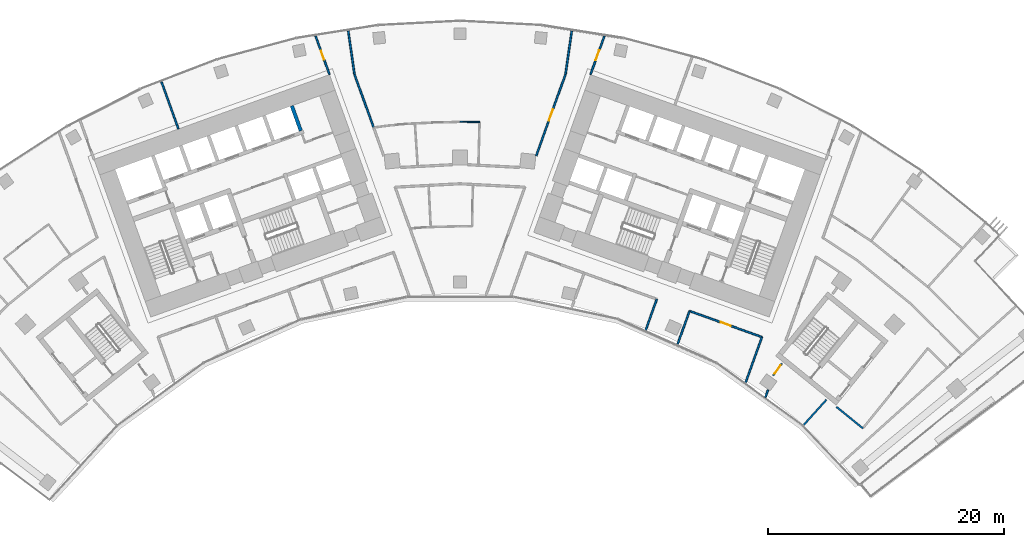
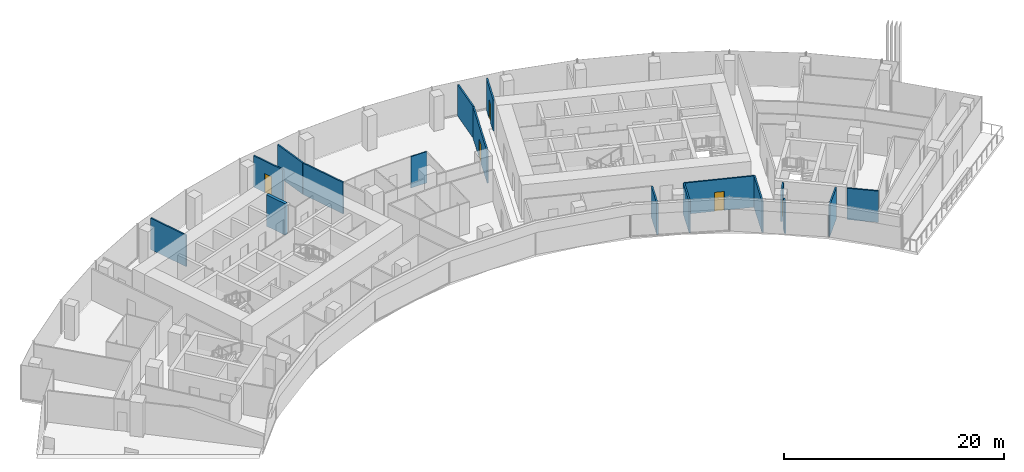
# One storey, part 16 of 21: 17 walls, 5 doors, 5 openings.
"""IFC4 building model written with IfcOpenShell, lengths in metres."""

from ifc_helpers import new_model, si_unit, direction, frame, frame_2d, origin, place, context, subcontext, project, spatial, rectangle, extrude, material, layer, layer_set, type_object, element, fill, save


model = new_model("IFC4")

# Units and contexts
model_context = context("Model", 3, precision=1e-05, world=origin(), true_north=direction((0.0, 1.0)))
body_context = subcontext(model_context, "Body", "Model", "MODEL_VIEW")
ifc_project = project(units=[si_unit("LENGTHUNIT", "METRE"), si_unit("AREAUNIT", "SQUARE_METRE"), si_unit("VOLUMEUNIT", "CUBIC_METRE"), si_unit("PLANEANGLEUNIT", "RADIAN"), si_unit("MASSUNIT", "GRAM", prefix="KILO")], contexts=[model_context])

# Site, building, storey
site_placement = place(None, origin())
site = spatial("IfcSite", under=ifc_project, at=site_placement, CompositionType="ELEMENT")
building_placement = place(site_placement, origin())
building = spatial("IfcBuilding", under=site, at=building_placement, Name="Stone Belt Terrace Tower", CompositionType="ELEMENT")
storey_placement = place(building_placement, frame((0.0, 0.0, 159.199951171875)))
storey = spatial("IfcBuildingStorey", under=building, at=storey_placement, Name="L38", CompositionType="ELEMENT", Elevation=159.199951171875)

# Walls
ifc_material_1 = material(Name="Concrete B80", Category="concrete")
ifc_layer_1 = layer(ifc_material_1, 0.300048828125)
ifc_layer_set_1 = layer_set([ifc_layer_1], Name="Lift shaft wall 300")
wall_type_1 = type_object("IfcWallType", Name="Lift shaft wall 300", PredefinedType="SHEAR", material=ifc_layer_set_1)
wall_1_placement = place(storey_placement, frame((-13.48828125, 57.265625, 0.0), z_axis=(0.0, 0.0, 1.0), x_axis=(-0.338631098537, 0.940919220286, 0.0)))
element("IfcWall", 1, at=wall_1_placement, inside=storey, type_object=wall_type_1, Name="Core A wall", PredefinedType="SHEAR", context=body_context, shape_type="SweptSolid", body=[
    extrude(rectangle(XDim=2.250244140625, YDim=0.300048828125, at=frame_2d((1.125, 0.0))), origin(), (0.0, 0.0, 1.0), 3.47998046875),
])
ifc_material_2 = material(Name="Gypsum board partition")
ifc_layer_2 = layer(ifc_material_2, 0.10009765625)
ifc_layer_set_2 = layer_set([ifc_layer_2], Name="PARTITION 100")
wall_type_2 = type_object("IfcWallType", Name="PARTITION 100", PredefinedType="PARTITIONING", material=ifc_layer_set_2)
wall_2_placement = place(storey_placement, frame((1.659912109375, 58.0009765625, 0.0), z_axis=(0.0, 0.0, 1.0), x_axis=(-0.999896136152, 0.014412387313, 0.0)))
element("IfcWall", 2, at=wall_2_placement, inside=storey, type_object=wall_type_2, Name="L38/wall/i099", PredefinedType="PARTITIONING", context=body_context, shape_type="SweptSolid", body=[
    extrude(rectangle(XDim=1.66015625, YDim=0.10009765625, at=frame_2d((0.830078125, 0.0))), origin(), (0.0, 0.0, 1.0), 3.47998046875),
])

# Wall, opening, door
ifc_layer_3 = layer(ifc_material_2, 0.14990234375)
ifc_layer_set_3 = layer_set([ifc_layer_3], Name="PARTITION 150 EI 60")
wall_type_3 = type_object("IfcWallType", Name="PARTITION 150 EI 60", PredefinedType="PARTITIONING", material=ifc_layer_set_3)
wall_3_placement = place(storey_placement, frame((-11.054931640625, 62.02099609375, 0.0), z_axis=(0.0, 0.0, 1.0), x_axis=(-0.338942963923, 0.940806923448, 0.0)))
wall_3 = element("IfcWall", 3, at=wall_3_placement, inside=storey, type_object=wall_type_3, Name="L38/wall/i008", PredefinedType="PARTITIONING", context=body_context, shape_type="SweptSolid", body=[
    extrude(rectangle(XDim=3.481201171875, YDim=0.14990234375, at=frame_2d((1.74072265625, 0.0))), origin(), (0.0, 0.0, 1.0), 3.47998046875),
])
opening_1_placement = place(wall_3_placement, frame((1.340576171875, 0.0, 0.0)))
opening_1 = element("IfcOpeningElement", 4, at=opening_1_placement, cuts=wall_3, Name="Opening D-C2-06", PredefinedType="OPENING", context=body_context, shape_type="SweptSolid", body=[
    extrude(rectangle(XDim=0.800048828125, YDim=2.10009765625, at=frame_2d((0.39990234375, 1.050048828125))), frame((0.0, 0.0849609375, 0.0), z_axis=(0.0, -1.0, 0.0), x_axis=(1.0, 0.0, 0.0)), (0.0, 0.0, 1.0), 0.169921875),
])
ifc_material_3 = material(Name="Timber door leaf", Category="wood")
door_type_1 = type_object("IfcDoorType", Name="STORE DOOR 800 X 2100", OperationType="NOTDEFINED", PredefinedType="DOOR", material=ifc_material_3)
door_1_placement = place(opening_1_placement, origin())
door_1 = element("IfcDoor", 5, at=door_1_placement, inside=storey, type_object=door_type_1, Name="L38/door/i06", OperationType="SINGLE_SWING_RIGHT", OverallHeight=2.10009765625, OverallWidth=0.800048828125, PredefinedType="DOOR", context=body_context, shape_type="SweptSolid", body=[
    extrude(rectangle(XDim=0.800048828125, YDim=2.10009765625, at=frame_2d((0.39990234375, 1.050048828125))), frame((0.0, 0.02490234375, 0.0), z_axis=(0.0, -1.0, 0.0), x_axis=(1.0, 0.0, 0.0)), (0.0, 0.0, 1.0), 0.050048828125),
])
fill(opening_1, door_1)

# Walls
wall_4_placement = place(storey_placement, frame((-9.47021484375, 65.736083984375, 0.0), z_axis=(0.0, 0.0, 1.0), x_axis=(0.14267653425, -0.989769370396, 0.0)))
element("IfcWall", 6, at=wall_4_placement, inside=storey, type_object=wall_type_3, Name="L38/wall/i011", PredefinedType="PARTITIONING", context=body_context, shape_type="SweptSolid", body=[
    extrude(rectangle(XDim=3.730224609375, YDim=0.14990234375, at=frame_2d((1.865234375, 0.0))), origin(), (0.0, 0.0, 1.0), 3.47998046875),
])
wall_5_placement = place(storey_placement, frame((-8.93798828125, 62.04296875, 0.0), z_axis=(0.0, 0.0, 1.0), x_axis=(0.338681584055, -0.940901049326, 0.0)))
element("IfcWall", 7, at=wall_5_placement, inside=storey, type_object=wall_type_3, Name="L38/wall/i012", PredefinedType="PARTITIONING", context=body_context, shape_type="SweptSolid", body=[
    extrude(rectangle(XDim=4.792236328125, YDim=0.14990234375, at=frame_2d((2.39599609375, 0.0))), origin(), (0.0, 0.0, 1.0), 3.47998046875),
])
wall_6_placement = place(storey_placement, frame((-25.2978515625, 61.422119140625, 0.0), z_axis=(0.0, 0.0, 1.0), x_axis=(0.33871337989, -0.940889603664, 0.0)))
element("IfcWall", 8, at=wall_6_placement, inside=storey, type_object=wall_type_3, Name="L38/wall/i021", PredefinedType="PARTITIONING", context=body_context, shape_type="SweptSolid", body=[
    extrude(rectangle(XDim=4.259765625, YDim=0.14990234375, at=frame_2d((2.1298828125, 0.0))), origin(), (0.0, 0.0, 1.0), 3.47998046875),
])

# Wall, opening, door
wall_7_placement = place(storey_placement, frame((12.23486328125, 65.296142578125, 0.0), z_axis=(0.0, 0.0, 1.0), x_axis=(-0.338942963923, -0.940806923448, 0.0)))
wall_7 = element("IfcWall", 9, at=wall_7_placement, inside=storey, type_object=wall_type_3, Name="L38/wall/i023", PredefinedType="PARTITIONING", context=body_context, shape_type="SweptSolid", body=[
    extrude(rectangle(XDim=3.481201171875, YDim=0.14990234375, at=frame_2d((1.74072265625, 0.0))), origin(), (0.0, 0.0, 1.0), 3.47998046875),
])
opening_2_placement = place(wall_7_placement, frame((1.29052734375, 0.0, 0.0)))
opening_2 = element("IfcOpeningElement", 10, at=opening_2_placement, cuts=wall_7, Name="Opening D-C2-10", PredefinedType="OPENING", context=body_context, shape_type="SweptSolid", body=[
    extrude(rectangle(XDim=0.89990234375, YDim=2.10009765625, at=frame_2d((0.449951171875, 1.050048828125))), frame((0.0, 0.0849609375, 0.0), z_axis=(0.0, -1.0, 0.0), x_axis=(1.0, 0.0, 0.0)), (0.0, 0.0, 1.0), 0.169921875),
])
door_type_2 = type_object("IfcDoorType", Name="OFFICE DOOR 900 X 2100", OperationType="NOTDEFINED", PredefinedType="DOOR", material=ifc_material_3)
door_2_placement = place(opening_2_placement, origin())
door_2 = element("IfcDoor", 11, at=door_2_placement, inside=storey, type_object=door_type_2, Name="L38/door/i10", OperationType="SINGLE_SWING_RIGHT", OverallHeight=2.10009765625, OverallWidth=0.89990234375, PredefinedType="DOOR", context=body_context, shape_type="SweptSolid", body=[
    extrude(rectangle(XDim=0.89990234375, YDim=2.10009765625, at=frame_2d((0.449951171875, 1.050048828125))), frame((0.0, 0.02490234375, 0.0), z_axis=(0.0, -1.0, 0.0), x_axis=(1.0, 0.0, 0.0)), (0.0, 0.0, 1.0), 0.050048828125),
])
fill(opening_2, door_2)

wall_8_placement = place(storey_placement, frame((6.4541015625, 55.140625, 0.0), z_axis=(0.0, 0.0, 1.0), x_axis=(0.338603971116, 0.940928982838, 0.0)))
wall_8 = element("IfcWall", 12, at=wall_8_placement, inside=storey, type_object=wall_type_3, Name="L38/wall/i025", PredefinedType="PARTITIONING", context=body_context, shape_type="SweptSolid", body=[
    extrude(rectangle(XDim=7.335693359375, YDim=0.14990234375, at=frame_2d((3.66796875, 0.0))), origin(), (0.0, 0.0, 1.0), 3.47998046875),
])
opening_3_placement = place(wall_8_placement, frame((3.16796875, 0.0, 0.0)))
opening_3 = element("IfcOpeningElement", 13, at=opening_3_placement, cuts=wall_8, Name="Opening D-C2-30", PredefinedType="OPENING", context=body_context, shape_type="SweptSolid", body=[
    extrude(rectangle(XDim=1.0, YDim=2.10009765625, at=frame_2d((0.5, 1.050048828125))), frame((0.0, 0.0849609375, 0.0), z_axis=(0.0, -1.0, 0.0), x_axis=(1.0, 0.0, 0.0)), (0.0, 0.0, 1.0), 0.169921875),
])
ifc_material_4 = material(Name="Timber fire door leaf", Category="wood")
door_type_3 = type_object("IfcDoorType", Name="TENANCY ENTRANCE DOOR 1000 X 2100", OperationType="NOTDEFINED", PredefinedType="DOOR", material=ifc_material_4)
door_3_placement = place(opening_3_placement, origin())
door_3 = element("IfcDoor", 14, at=door_3_placement, inside=storey, type_object=door_type_3, Name="L38/door/i30", OperationType="SINGLE_SWING_RIGHT", OverallHeight=2.10009765625, OverallWidth=1.0, PredefinedType="DOOR", context=body_context, shape_type="SweptSolid", body=[
    extrude(rectangle(XDim=1.0, YDim=2.10009765625, at=frame_2d((0.5, 1.050048828125))), frame((0.0, 0.02490234375, 0.0), z_axis=(0.0, -1.0, 0.0), x_axis=(1.0, 0.0, 0.0)), (0.0, 0.0, 1.0), 0.050048828125),
])
fill(opening_3, door_3)

# Walls
wall_9_placement = place(storey_placement, frame((8.93798828125, 62.0439453125, 0.0), z_axis=(0.0, 0.0, 1.0), x_axis=(0.14267653425, 0.989769370396, 0.0)))
element("IfcWall", 15, at=wall_9_placement, inside=storey, type_object=wall_type_3, Name="L38/wall/i026", PredefinedType="PARTITIONING", context=body_context, shape_type="SweptSolid", body=[
    extrude(rectangle(XDim=3.730224609375, YDim=0.14990234375, at=frame_2d((1.865234375, 0.0))), origin(), (0.0, 0.0, 1.0), 3.47998046875),
])
wall_10_placement = place(storey_placement, frame((24.18603515625, 35.902099609375, 0.0), z_axis=(0.0, 0.0, 1.0), x_axis=(0.338545933013, 0.940949866486, 0.0)))
element("IfcWall", 16, at=wall_10_placement, inside=storey, type_object=wall_type_3, Name="L38/wall/i027", PredefinedType="PARTITIONING", context=body_context, shape_type="SweptSolid", body=[
    extrude(rectangle(XDim=4.135009765625, YDim=0.14990234375, at=frame_2d((2.0673828125, 0.0))), origin(), (0.0, 0.0, 1.0), 3.47998046875),
])

# Wall, opening, door
wall_11_placement = place(storey_placement, frame((27.282958984375, 37.552001953125, 0.0), z_axis=(0.0, 0.0, 1.0), x_axis=(-0.587851817093, -0.808968628032, 0.0)))
wall_11 = element("IfcWall", 17, at=wall_11_placement, inside=storey, type_object=wall_type_3, Name="L38/wall/i030", PredefinedType="PARTITIONING", context=body_context, shape_type="SweptSolid", body=[
    extrude(rectangle(XDim=1.270751953125, YDim=0.14990234375, at=frame_2d((0.63525390625, 0.0))), origin(), (0.0, 0.0, 1.0), 3.47998046875),
])
opening_4_placement = place(wall_11_placement, frame((0.185302734375, 0.0, 0.0)))
opening_4 = element("IfcOpeningElement", 18, at=opening_4_placement, cuts=wall_11, Name="Opening D-C2-21", PredefinedType="OPENING", context=body_context, shape_type="SweptSolid", body=[
    extrude(rectangle(XDim=0.89990234375, YDim=2.10009765625, at=frame_2d((0.449951171875, 1.050048828125))), frame((0.0, 0.0849609375, 0.0), z_axis=(0.0, -1.0, 0.0), x_axis=(1.0, 0.0, 0.0)), (0.0, 0.0, 1.0), 0.169921875),
])
door_type_4 = type_object("IfcDoorType", Name="TENANCY ENTRANCE DOOR 900 X 2100", OperationType="NOTDEFINED", PredefinedType="DOOR", material=ifc_material_4)
door_4_placement = place(opening_4_placement, origin())
door_4 = element("IfcDoor", 19, at=door_4_placement, inside=storey, type_object=door_type_4, Name="L38/door/i21", OperationType="SINGLE_SWING_RIGHT", OverallHeight=2.10009765625, OverallWidth=0.89990234375, PredefinedType="DOOR", context=body_context, shape_type="SweptSolid", body=[
    extrude(rectangle(XDim=0.89990234375, YDim=2.10009765625, at=frame_2d((0.449951171875, 1.050048828125))), frame((0.0, 0.02490234375, 0.0), z_axis=(0.0, -1.0, 0.0), x_axis=(1.0, 0.0, 0.0)), (0.0, 0.0, 1.0), 0.050048828125),
])
fill(opening_4, door_4)

# Walls
wall_12_placement = place(storey_placement, frame((26.101318359375, 35.318115234375, 0.0), z_axis=(0.0, 0.0, 1.0), x_axis=(-0.339176971689, -0.940722584972, 0.0)))
element("IfcWall", 20, at=wall_12_placement, inside=storey, type_object=wall_type_3, Name="L38/wall/i031", PredefinedType="PARTITIONING", context=body_context, shape_type="SweptSolid", body=[
    extrude(rectangle(XDim=0.68017578125, YDim=0.14990234375, at=frame_2d((0.340087890625, 0.0))), origin(), (0.0, 0.0, 1.0), 3.47998046875),
])
wall_13_placement = place(storey_placement, frame((15.725341796875, 40.3544921875, 0.0), z_axis=(0.0, 0.0, 1.0), x_axis=(0.338592964113, 0.94093294376, 0.0)))
element("IfcWall", 21, at=wall_13_placement, inside=storey, type_object=wall_type_3, Name="L38/wall/i035", PredefinedType="PARTITIONING", context=body_context, shape_type="SweptSolid", body=[
    extrude(rectangle(XDim=2.802001953125, YDim=0.14990234375, at=frame_2d((1.40087890625, 0.0))), origin(), (0.0, 0.0, 1.0), 3.47998046875),
])

# Wall, opening, door
wall_14_placement = place(storey_placement, frame((25.5830078125, 39.787109375, 0.0), z_axis=(0.0, 0.0, 1.0), x_axis=(-0.940941833502, 0.338568258948, 0.0)))
wall_14 = element("IfcWall", 22, at=wall_14_placement, inside=storey, type_object=wall_type_3, Name="L38/wall/i037", PredefinedType="PARTITIONING", context=body_context, shape_type="SweptSolid", body=[
    extrude(rectangle(XDim=6.51806640625, YDim=0.14990234375, at=frame_2d((3.259033203125, 0.0))), origin(), (0.0, 0.0, 1.0), 3.47998046875),
])
opening_5_placement = place(wall_14_placement, frame((2.80908203125, 0.0, 0.0)))
opening_5 = element("IfcOpeningElement", 23, at=opening_5_placement, cuts=wall_14, Name="Opening D-C2-09", PredefinedType="OPENING", context=body_context, shape_type="SweptSolid", body=[
    extrude(rectangle(XDim=0.89990234375, YDim=2.10009765625, at=frame_2d((0.449951171875, 1.050048828125))), frame((0.0, 0.0849609375, 0.0), z_axis=(0.0, -1.0, 0.0), x_axis=(1.0, 0.0, 0.0)), (0.0, 0.0, 1.0), 0.169921875),
])
door_5_placement = place(opening_5_placement, origin())
door_5 = element("IfcDoor", 24, at=door_5_placement, inside=storey, type_object=door_type_2, Name="L38/door/i09", OperationType="SINGLE_SWING_RIGHT", OverallHeight=2.10009765625, OverallWidth=0.89990234375, PredefinedType="DOOR", context=body_context, shape_type="SweptSolid", body=[
    extrude(rectangle(XDim=0.89990234375, YDim=2.10009765625, at=frame_2d((0.449951171875, 1.050048828125))), frame((0.0, 0.02490234375, 0.0), z_axis=(0.0, -1.0, 0.0), x_axis=(1.0, 0.0, 0.0)), (0.0, 0.0, 1.0), 0.050048828125),
])
fill(opening_5, door_5)

# Walls
wall_15_placement = place(storey_placement, frame((19.447021484375, 41.992919921875, 0.0), z_axis=(0.0, 0.0, 1.0), x_axis=(-0.338702285255, -0.940893597578, 0.0)))
element("IfcWall", 25, at=wall_15_placement, inside=storey, type_object=wall_type_3, Name="L38/wall/i038", PredefinedType="PARTITIONING", context=body_context, shape_type="SweptSolid", body=[
    extrude(rectangle(XDim=3.018798828125, YDim=0.14990234375, at=frame_2d((1.50927734375, 0.0))), origin(), (0.0, 0.0, 1.0), 3.47998046875),
])
wall_16_placement = place(storey_placement, frame((34.133056640625, 32.055908203125, 0.0), z_axis=(0.0, 0.0, 1.0), x_axis=(-0.776369956068, 0.630277471686, 0.0)))
element("IfcWall", 26, at=wall_16_placement, inside=storey, type_object=wall_type_3, Name="L38/wall/i072", PredefinedType="PARTITIONING", context=body_context, shape_type="SweptSolid", body=[
    extrude(rectangle(XDim=2.8876953125, YDim=0.14990234375, at=frame_2d((1.44384765625, 0.0))), origin(), (0.0, 0.0, 1.0), 3.47998046875),
])
wall_17_placement = place(storey_placement, frame((31.054931640625, 34.489990234375, 0.0), z_axis=(0.0, 0.0, 1.0), x_axis=(-0.669108362487, -0.743164853347, 0.0)))
element("IfcWall", 27, at=wall_17_placement, inside=storey, type_object=wall_type_3, Name="L38/wall/i073", PredefinedType="PARTITIONING", context=body_context, shape_type="SweptSolid", body=[
    extrude(rectangle(XDim=2.910888671875, YDim=0.14990234375, at=frame_2d((1.45556640625, 0.0))), origin(), (0.0, 0.0, 1.0), 3.47998046875),
])

save(model, "model.ifc")
